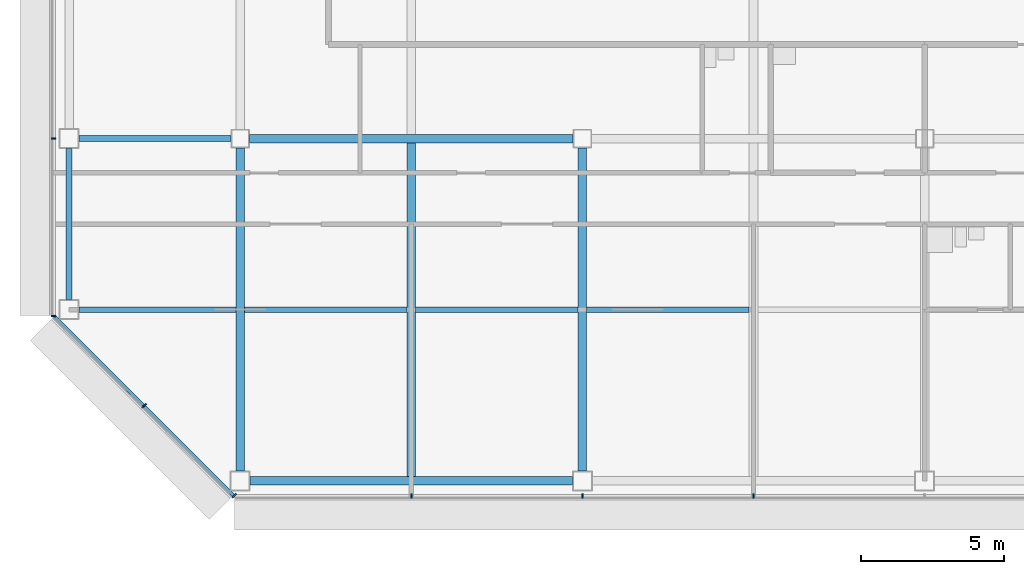
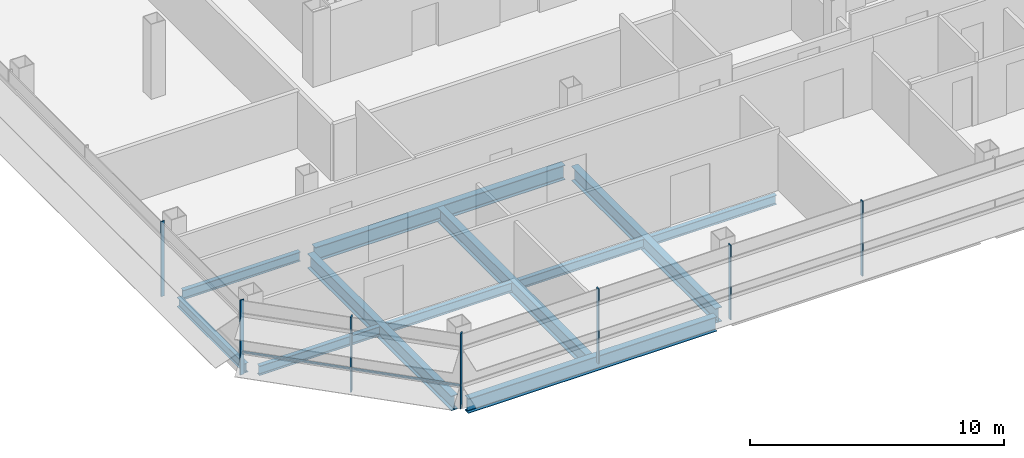
# One storey, part 2 of 24: 11 beams, 8 members, 3 elements without a shape of their own.
"""IFC4 building model written with IfcOpenShell, lengths in metres."""

from ifc_helpers import new_model, si_unit, direction, frame, origin, origin_2d, place, context, subcontext, project, spatial, rectangle, i_section, extrude, material, material_profile, profile_set, type_object, element, aggregate, save


model = new_model("IFC4")

# Units and contexts
model_context = context("Model", 3, precision=1e-05, world=origin(), true_north=direction((0.0, 1.0)))
body_context = subcontext(model_context, "Body", "Model", "MODEL_VIEW")
ifc_project = project(units=[si_unit("LENGTHUNIT", "METRE"), si_unit("AREAUNIT", "SQUARE_METRE"), si_unit("VOLUMEUNIT", "CUBIC_METRE"), si_unit("PLANEANGLEUNIT", "RADIAN"), si_unit("MASSUNIT", "GRAM", prefix="KILO")], contexts=[model_context])

# Site, building, storey
site_placement = place(None, origin())
site = spatial("IfcSite", under=ifc_project, at=site_placement, CompositionType="ELEMENT")
building_placement = place(site_placement, origin())
building = spatial("IfcBuilding", under=site, at=building_placement, Name="Sorahane Residences", CompositionType="ELEMENT")
storey_placement = place(building_placement, frame((0.0, 0.0, 170.800048828125)))
storey = spatial("IfcBuildingStorey", under=building, at=storey_placement, Name="L39", CompositionType="ELEMENT", Elevation=170.800048828125)

# Curtain wall, members
ifc_material_1 = material(Name="Dark low-e glass and black anodised aluminium", Category="aluminium")
curtain_wall_type_1 = type_object("IfcCurtainWallType", Name="Curtain wall CW-1 Typical unitised wall", PredefinedType="NOTDEFINED", material=ifc_material_1)
curtain_wall_1_placement = place(storey_placement, origin())
curtain_wall_1 = element("IfcCurtainWall", 1, at=curtain_wall_1_placement, inside=storey, type_object=curtain_wall_type_1, Name="CW-1 curtain wall L39 S1", PredefinedType="NOTDEFINED")
ifc_material_2 = material(Name="Black anodised aluminium", Category="aluminium")
ifc_material_profile_1 = material_profile(ifc_material_2, rectangle(XDim=0.159912109375, YDim=0.050048828125, at=origin_2d()), Name="Curtain wall mullion CW-1 black anodised aluminium 50x160")
ifc_profile_set_1 = profile_set([ifc_material_profile_1], Name="Black anodised aluminium")
member_type_1 = type_object("IfcMemberType", Name="Curtain wall mullion CW-1 black anodised aluminium 50x160", PredefinedType="MULLION", material=ifc_profile_set_1)
member_1_placement = place(storey_placement, frame((6.0, -0.5400390625, -0.179931640625), z_axis=(0.0, 0.0, 1.0), x_axis=(0.0, -1.0, 0.0)))
member_1 = element("IfcMember", 2, at=member_1_placement, type_object=member_type_1, Name="CW-1 mullion L39 S1.2", PredefinedType="MULLION", context=body_context, shape_type="SweptSolid", body=[
    extrude(rectangle(XDim=0.159912109375, YDim=0.050048828125, at=origin_2d()), origin(), (0.0, 0.0, 1.0), 3.599853515625),
])
member_2_placement = place(storey_placement, frame((12.0, -0.5400390625, -0.179931640625), z_axis=(0.0, 0.0, 1.0), x_axis=(0.0, -1.0, 0.0)))
member_2 = element("IfcMember", 3, at=member_2_placement, type_object=member_type_1, Name="CW-1 mullion L39 S1.3", PredefinedType="MULLION", context=body_context, shape_type="SweptSolid", body=[
    extrude(rectangle(XDim=0.159912109375, YDim=0.050048828125, at=origin_2d()), origin(), (0.0, 0.0, 1.0), 3.599853515625),
])
member_3_placement = place(storey_placement, frame((18.0, -0.5400390625, -0.179931640625), z_axis=(0.0, 0.0, 1.0), x_axis=(0.0, -1.0, 0.0)))
member_3 = element("IfcMember", 4, at=member_3_placement, type_object=member_type_1, Name="CW-1 mullion L39 S1.4", PredefinedType="MULLION", context=body_context, shape_type="SweptSolid", body=[
    extrude(rectangle(XDim=0.159912109375, YDim=0.050048828125, at=origin_2d()), origin(), (0.0, 0.0, 1.0), 3.599853515625),
])
aggregate(curtain_wall_1, [member_1, member_2, member_3])

curtain_wall_2_placement = place(storey_placement, origin())
curtain_wall_2 = element("IfcCurtainWall", 5, at=curtain_wall_2_placement, inside=storey, type_object=curtain_wall_type_1, Name="CW-1 curtain wall L39 W1", PredefinedType="NOTDEFINED")
member_4_placement = place(storey_placement, frame((-6.5400390625, 12.0, -0.179931640625), z_axis=(0.0, 0.0, 1.0), x_axis=(-1.0, 0.0, 0.0)))
member_4 = element("IfcMember", 6, at=member_4_placement, type_object=member_type_1, Name="CW-1 mullion L39 W1.6", PredefinedType="MULLION", context=body_context, shape_type="SweptSolid", body=[
    extrude(rectangle(XDim=0.159912109375, YDim=0.050048828125, at=origin_2d()), origin(), (0.0, 0.0, 1.0), 3.599853515625),
])
member_5_placement = place(storey_placement, frame((-6.5400390625, 5.7763671875, -0.179931640625), z_axis=(0.0, 0.0, 1.0), x_axis=(-1.0, 0.0, 0.0)))
member_5 = element("IfcMember", 7, at=member_5_placement, type_object=member_type_1, Name="CW-1 mullion L39 W1.7", PredefinedType="MULLION", context=body_context, shape_type="SweptSolid", body=[
    extrude(rectangle(XDim=0.159912109375, YDim=0.050048828125, at=origin_2d()), origin(), (0.0, 0.0, 1.0), 3.599853515625),
])
aggregate(curtain_wall_2, [member_4, member_5])

ifc_material_3 = material(Name="Dark low-e glass and black anodised aluminium", Category="aluminium")
curtain_wall_type_2 = type_object("IfcCurtainWallType", Name="Curtain wall CW-2 Chamfer unitised wall", PredefinedType="NOTDEFINED", material=ifc_material_3)
curtain_wall_3_placement = place(storey_placement, origin())
curtain_wall_3 = element("IfcCurtainWall", 8, at=curtain_wall_3_placement, inside=storey, type_object=curtain_wall_type_2, Name="CW-2 curtain wall L39 SW1", PredefinedType="NOTDEFINED")
ifc_material_4 = material(Name="Black anodised aluminium", Category="aluminium")
ifc_material_profile_2 = material_profile(ifc_material_4, rectangle(XDim=0.199951171875, YDim=0.050048828125, at=origin_2d()), Name="Curtain wall mullion CW-2 black anodised aluminium 50x200")
ifc_profile_set_2 = profile_set([ifc_material_profile_2], Name="Black anodised aluminium")
member_type_2 = type_object("IfcMemberType", Name="Curtain wall mullion CW-2 black anodised aluminium 50x200", PredefinedType="MULLION", material=ifc_profile_set_2)
member_6_placement = place(storey_placement, frame((-3.36767578125, 2.63232421875, -0.179931640625), z_axis=(0.0, 0.0, 1.0), x_axis=(-0.707106781187, -0.707106781187, 0.0)))
member_6 = element("IfcMember", 9, at=member_6_placement, type_object=member_type_2, Name="CW-2 mullion L39 SW1.2", PredefinedType="MULLION", context=body_context, shape_type="SweptSolid", body=[
    extrude(rectangle(XDim=0.199951171875, YDim=0.050048828125, at=origin_2d()), origin(), (0.0, 0.0, 1.0), 3.599853515625),
])
member_7_placement = place(storey_placement, frame((-0.209716796875, -0.525634765625, -0.179931640625), z_axis=(0.0, 0.0, 1.0), x_axis=(-0.707106781187, -0.707106781187, 0.0)))
member_7 = element("IfcMember", 10, at=member_7_placement, type_object=member_type_2, Name="CW-2 mullion L39 SW1.3", PredefinedType="MULLION", context=body_context, shape_type="SweptSolid", body=[
    extrude(rectangle(XDim=0.199951171875, YDim=0.050048828125, at=origin_2d()), origin(), (0.0, 0.0, 1.0), 3.599853515625),
])
ifc_material_5 = material(Name="Black anodised aluminium", Category="aluminium")
ifc_material_profile_3 = material_profile(ifc_material_5, rectangle(XDim=0.10009765625, YDim=0.06005859375, at=origin_2d()), Name="Curtain wall transom CW-2 black anodised aluminium 60x100")
ifc_profile_set_3 = profile_set([ifc_material_profile_3], Name="Black anodised aluminium")
member_type_3 = type_object("IfcMemberType", Name="Curtain wall transom CW-2 black anodised aluminium 60x100", PredefinedType="USERDEFINED", material=ifc_profile_set_3)
member_8_placement = place(storey_placement, frame((-6.51513671875, 5.765625, 0.89990234375), z_axis=(0.707106781187, -0.707106781187, 0.0), x_axis=(0.707106781187, 0.707106781187, 0.0)))
member_8 = element("IfcMember", 11, at=member_8_placement, type_object=member_type_3, Name="CW-2 transom L39 SW1", ObjectType="TRANSOM", PredefinedType="USERDEFINED", context=body_context, shape_type="SweptSolid", body=[
    extrude(rectangle(XDim=0.10009765625, YDim=0.06005859375, at=origin_2d()), origin(), (0.0, 0.0, 1.0), 8.88232421875),
])
aggregate(curtain_wall_3, [member_6, member_7, member_8])

# Beams
ifc_material_6 = material(Name="Steel Q355B", Category="steel")
ifc_material_profile_4 = material_profile(ifc_material_6, i_section(OverallWidth=0.199951171875, OverallDepth=0.449951171875, WebThickness=0.009033203125, FlangeThickness=0.013916015625, FilletRadius=0.02001953125, at=origin_2d()), Name="HN 450x200x9x14")
ifc_profile_set_4 = profile_set([ifc_material_profile_4], Name="Steel Q355B")
beam_type_1 = type_object("IfcBeamType", Name="Steel floor beam HN 450x200x9x14 Q355B", PredefinedType="BEAM", material=ifc_profile_set_4)
beam_1_placement = place(storey_placement, frame((-5.64990234375, 12.0, -0.405029296875), z_axis=(1.0, 0.0, 0.0), x_axis=(0.0, 1.0, 0.0)))
element("IfcBeam", 12, at=beam_1_placement, inside=storey, type_object=beam_type_1, Name="Beam L39 005", PredefinedType="BEAM", context=body_context, shape_type="SweptSolid", body=[
    extrude(i_section(OverallWidth=0.199951171875, OverallDepth=0.449951171875, WebThickness=0.009033203125, FlangeThickness=0.013916015625, FilletRadius=0.02001953125, at=origin_2d()), origin(), (0.0, 0.0, 1.0), 5.324951171875),
])
beam_2_placement = place(storey_placement, frame((-6.0, 6.35009765625, -0.405029296875), z_axis=(0.0, 1.0, 0.0), x_axis=(-1.0, 0.0, 0.0)))
element("IfcBeam", 13, at=beam_2_placement, inside=storey, type_object=beam_type_1, Name="Beam L39 020", PredefinedType="BEAM", context=body_context, shape_type="SweptSolid", body=[
    extrude(i_section(OverallWidth=0.199951171875, OverallDepth=0.449951171875, WebThickness=0.009033203125, FlangeThickness=0.013916015625, FilletRadius=0.02001953125, at=origin_2d()), origin(), (0.0, 0.0, 1.0), 5.2998046875),
])
beam_3_placement = place(storey_placement, frame((-5.64990234375, 6.0, -0.405029296875), z_axis=(1.0, 0.0, 0.0), x_axis=(0.0, 1.0, 0.0)))
element("IfcBeam", 14, at=beam_3_placement, inside=storey, type_object=beam_type_1, Name="Beam L39 068", PredefinedType="BEAM", context=body_context, shape_type="SweptSolid", body=[
    extrude(i_section(OverallWidth=0.199951171875, OverallDepth=0.449951171875, WebThickness=0.009033203125, FlangeThickness=0.013916015625, FilletRadius=0.02001953125, at=origin_2d()), origin(), (0.0, 0.0, 1.0), 5.5),
])
for number, where, z_axis, x_axis, name in (
    (15, (0.14990234375, 6.0, -0.405029296875), (1.0, 0.0, 0.0), (0.0, 1.0, 0.0), "Beam L39 069"),
    (16, (6.14990234375, 6.0, -0.405029296875), (1.0, 0.0, 0.0), (0.0, 1.0, 0.0), "Beam L39 070"),
    (17, (12.14990234375, 6.0, -0.405029296875), (1.0, 0.0, 0.0), (0.0, 1.0, 0.0), "Beam L39 071"),
):
    element("IfcBeam", number, at=place(storey_placement, frame(where, z_axis=z_axis, x_axis=x_axis)), inside=storey, type_object=beam_type_1, Name=name, PredefinedType="BEAM", context=body_context, shape_type="SweptSolid", body=[
        extrude(i_section(OverallWidth=0.199951171875, OverallDepth=0.449951171875, WebThickness=0.009033203125, FlangeThickness=0.013916015625, FilletRadius=0.02001953125, at=origin_2d()), origin(), (0.0, 0.0, 1.0), 5.7001953125),
    ])
ifc_material_7 = material(Name="Steel Q355B", Category="steel")
ifc_material_profile_5 = material_profile(ifc_material_7, i_section(OverallWidth=0.300048828125, OverallDepth=0.699951171875, WebThickness=0.012939453125, FlangeThickness=0.02392578125, FilletRadius=0.028076171875, at=origin_2d()), Name="HN 700x300x13x24")
ifc_profile_set_5 = profile_set([ifc_material_profile_5], Name="Steel Q355B")
beam_type_2 = type_object("IfcBeamType", Name="Steel floor beam HN 700x300x13x24 Q355B", PredefinedType="BEAM", material=ifc_profile_set_5)
beam_4_placement = place(storey_placement, frame((0.35009765625, 0.0, -0.530029296875), z_axis=(1.0, 0.0, 0.0), x_axis=(0.0, 1.0, 0.0)))
element("IfcBeam", 18, at=beam_4_placement, inside=storey, type_object=beam_type_2, Name="Beam L39 000", PredefinedType="BEAM", context=body_context, shape_type="SweptSolid", body=[
    extrude(i_section(OverallWidth=0.300048828125, OverallDepth=0.699951171875, WebThickness=0.012939453125, FlangeThickness=0.02392578125, FilletRadius=0.028076171875, at=origin_2d()), origin(), (0.0, 0.0, 1.0), 11.2998046875),
])
beam_5_placement = place(storey_placement, frame((0.324951171875, 12.0, -0.530029296875), z_axis=(1.0, 0.0, 0.0), x_axis=(0.0, 1.0, 0.0)))
element("IfcBeam", 19, at=beam_5_placement, inside=storey, type_object=beam_type_2, Name="Beam L39 006", PredefinedType="BEAM", context=body_context, shape_type="SweptSolid", body=[
    extrude(i_section(OverallWidth=0.300048828125, OverallDepth=0.699951171875, WebThickness=0.012939453125, FlangeThickness=0.02392578125, FilletRadius=0.028076171875, at=origin_2d()), origin(), (0.0, 0.0, 1.0), 11.35009765625),
])
beam_6_placement = place(storey_placement, frame((0.0, 0.35009765625, -0.530029296875), z_axis=(0.0, 1.0, 0.0), x_axis=(-1.0, 0.0, 0.0)))
element("IfcBeam", 20, at=beam_6_placement, inside=storey, type_object=beam_type_2, Name="Beam L39 024", PredefinedType="BEAM", context=body_context, shape_type="SweptSolid", body=[
    extrude(i_section(OverallWidth=0.300048828125, OverallDepth=0.699951171875, WebThickness=0.012939453125, FlangeThickness=0.02392578125, FilletRadius=0.028076171875, at=origin_2d()), origin(), (0.0, 0.0, 1.0), 11.324951171875),
])
beam_7_placement = place(storey_placement, frame((6.0, 0.14990234375, -0.530029296875), z_axis=(0.0, 1.0, 0.0), x_axis=(-1.0, 0.0, 0.0)))
element("IfcBeam", 21, at=beam_7_placement, inside=storey, type_object=beam_type_2, Name="Beam L39 028", PredefinedType="BEAM", context=body_context, shape_type="SweptSolid", body=[
    extrude(i_section(OverallWidth=0.300048828125, OverallDepth=0.699951171875, WebThickness=0.012939453125, FlangeThickness=0.02392578125, FilletRadius=0.028076171875, at=origin_2d()), origin(), (0.0, 0.0, 1.0), 11.7001953125),
])
beam_8_placement = place(storey_placement, frame((12.0, 0.35009765625, -0.530029296875), z_axis=(0.0, 1.0, 0.0), x_axis=(-1.0, 0.0, 0.0)))
element("IfcBeam", 22, at=beam_8_placement, inside=storey, type_object=beam_type_2, Name="Beam L39 034", PredefinedType="BEAM", context=body_context, shape_type="SweptSolid", body=[
    extrude(i_section(OverallWidth=0.300048828125, OverallDepth=0.699951171875, WebThickness=0.012939453125, FlangeThickness=0.02392578125, FilletRadius=0.028076171875, at=origin_2d()), origin(), (0.0, 0.0, 1.0), 11.324951171875),
])

save(model, "model.ifc")
